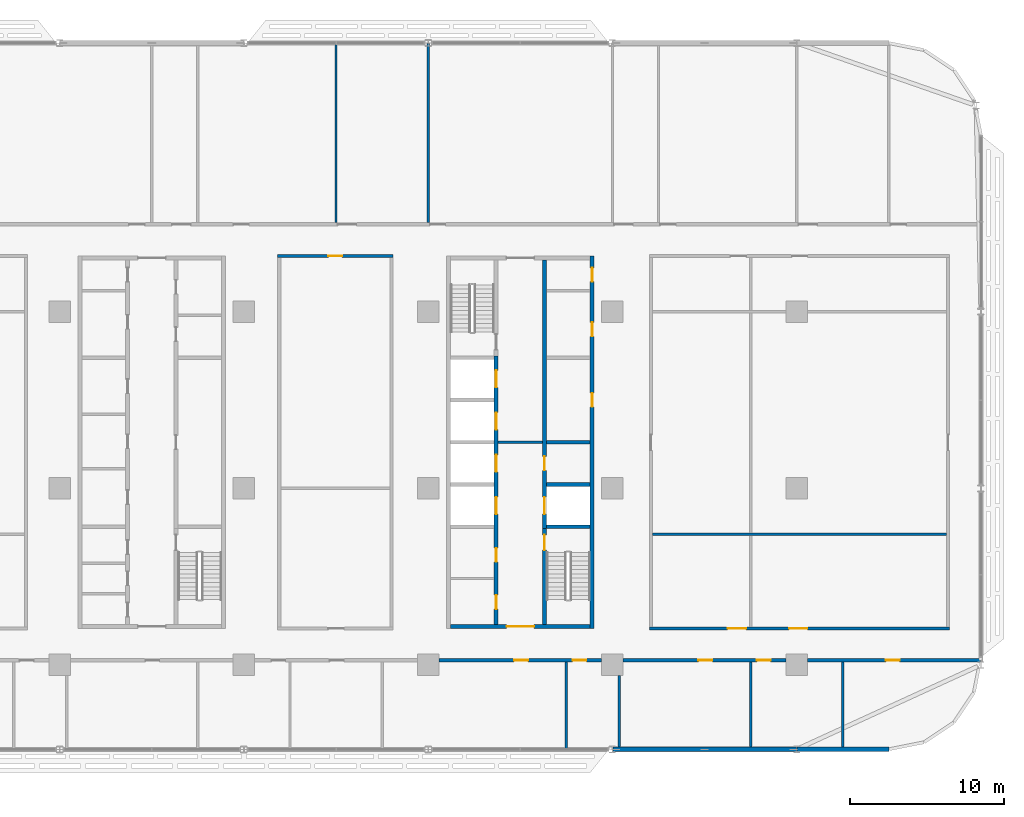
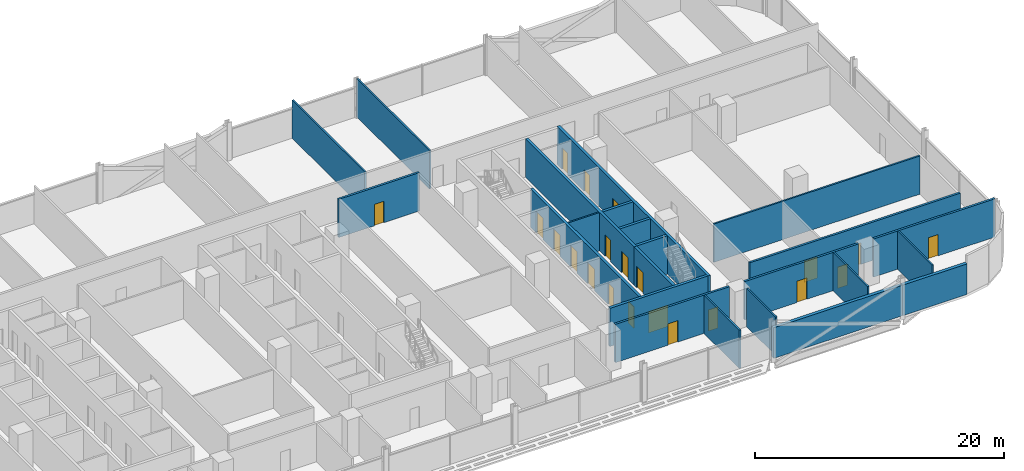
# One storey, part 16 of 29: 23 walls, 21 doors, 21 openings.
"""IFC4 building model written with IfcOpenShell, lengths in metres."""

from ifc_helpers import new_model, si_unit, direction, frame, frame_2d, origin, place, context, subcontext, project, spatial, rectangle, extrude, material, layer, layer_set, type_object, element, fill, save


model = new_model("IFC4")

# Units and contexts
model_context = context("Model", 3, precision=1e-05, world=origin(), true_north=direction((0.0, 1.0)))
body_context = subcontext(model_context, "Body", "Model", "MODEL_VIEW")
ifc_project = project(units=[si_unit("LENGTHUNIT", "METRE"), si_unit("AREAUNIT", "SQUARE_METRE"), si_unit("VOLUMEUNIT", "CUBIC_METRE"), si_unit("PLANEANGLEUNIT", "RADIAN"), si_unit("MASSUNIT", "GRAM", prefix="KILO")], contexts=[model_context])

# Site, building, storey
site_placement = place(None, origin())
site = spatial("IfcSite", under=ifc_project, at=site_placement, CompositionType="ELEMENT")
building_placement = place(site_placement, origin())
building = spatial("IfcBuilding", under=site, at=building_placement, Name="Mahtab Terrace Research Tower", CompositionType="ELEMENT")
storey_placement = place(building_placement, frame((0.0, 0.0, 97.10009765625)))
storey = spatial("IfcBuildingStorey", under=building, at=storey_placement, Name="L22", CompositionType="ELEMENT", Elevation=97.10009765625)

# Wall
ifc_material_1 = material(Name="Gypsum board partition")
ifc_layer_1 = layer(ifc_material_1, 0.14990234375)
ifc_layer_set_1 = layer_set([ifc_layer_1], Name="Core partition 150")
wall_type_1 = type_object("IfcWallType", Name="Core partition 150", PredefinedType="PARTITIONING", material=ifc_layer_set_1)
wall_1_placement = place(storey_placement, frame((22.550048828125, 3.0, 0.0), z_axis=(0.0, 0.0, 1.0), x_axis=(1.0, 0.0, 0.0)))
element("IfcWall", 1, at=wall_1_placement, inside=storey, type_object=wall_type_1, Name="Core wall C ffl", PredefinedType="PARTITIONING", context=body_context, shape_type="SweptSolid", body=[
    extrude(rectangle(XDim=2.89990234375, YDim=0.14990234375, at=frame_2d((1.449951171875, 0.0))), origin(), (0.0, 0.0, 1.0), 3.760009765625),
])

# Wall, openings, doors
ifc_material_2 = material(Name="Concrete C70/85", Category="concrete")
ifc_layer_2 = layer(ifc_material_2, 0.25)
ifc_layer_set_2 = layer_set([ifc_layer_2], Name="Core wall 250")
wall_type_2 = type_object("IfcWallType", Name="Core wall 250", PredefinedType="SOLIDWALL", material=ifc_layer_set_2)
wall_2_placement = place(storey_placement, frame((28.675048828125, -9.125, 0.0), z_axis=(0.0, 0.0, 1.0), x_axis=(0.0, 1.0, 0.0)))
wall_2 = element("IfcWall", 2, at=wall_2_placement, inside=storey, type_object=wall_type_2, Name="Core wall C outerE", PredefinedType="SOLIDWALL", context=body_context, shape_type="SweptSolid", body=[
    extrude(rectangle(XDim=24.25, YDim=0.25, at=frame_2d((12.125, 0.0))), origin(), (0.0, 0.0, 1.0), 3.760009765625),
])
opening_1_placement = place(wall_2_placement, frame((14.425048828125, 0.0, 0.0)))
opening_1 = element("IfcOpeningElement", 3, at=opening_1_placement, cuts=wall_2, Name="Opening C-R2", PredefinedType="OPENING", context=body_context, shape_type="SweptSolid", body=[
    extrude(rectangle(XDim=0.89990234375, YDim=2.10009765625, at=frame_2d((0.449951171875, 1.050048828125))), frame((0.0, 0.135009765625, 0.0), z_axis=(0.0, -1.0, 0.0), x_axis=(1.0, 0.0, 0.0)), (0.0, 0.0, 1.0), 0.27001953125),
])
opening_2_placement = place(wall_2_placement, frame((19.02490234375, 0.0, 0.0)))
opening_2 = element("IfcOpeningElement", 4, at=opening_2_placement, cuts=wall_2, Name="Opening C-R5", PredefinedType="OPENING", context=body_context, shape_type="SweptSolid", body=[
    extrude(rectangle(XDim=0.89990234375, YDim=2.10009765625, at=frame_2d((0.449951171875, 1.050048828125))), frame((0.0, 0.135009765625, 0.0), z_axis=(0.0, -1.0, 0.0), x_axis=(1.0, 0.0, 0.0)), (0.0, 0.0, 1.0), 0.27001953125),
])
opening_3_placement = place(wall_2_placement, frame((22.58740234375, 0.0, 0.0)))
opening_3 = element("IfcOpeningElement", 5, at=opening_3_placement, cuts=wall_2, Name="Opening C-R6", PredefinedType="OPENING", context=body_context, shape_type="SweptSolid", body=[
    extrude(rectangle(XDim=0.89990234375, YDim=2.10009765625, at=frame_2d((0.449951171875, 1.050048828125))), frame((0.0, 0.135009765625, 0.0), z_axis=(0.0, -1.0, 0.0), x_axis=(1.0, 0.0, 0.0)), (0.0, 0.0, 1.0), 0.27001953125),
])
ifc_material_3 = material(Name="Steel fire door", Category="steel")
door_type_1 = type_object("IfcDoorType", Name="Room door 900x2100 1 HR", OperationType="NOTDEFINED", PredefinedType="DOOR", material=ifc_material_3)
door_1_placement = place(opening_1_placement, origin())
door_1 = element("IfcDoor", 6, at=door_1_placement, inside=storey, type_object=door_type_1, Name="Plant room door", OperationType="SINGLE_SWING_RIGHT", OverallHeight=2.10009765625, OverallWidth=0.89990234375, PredefinedType="DOOR", context=body_context, shape_type="SweptSolid", body=[
    extrude(rectangle(XDim=0.89990234375, YDim=2.10009765625, at=frame_2d((0.449951171875, 1.050048828125))), frame((0.0, 0.02490234375, 0.0), z_axis=(0.0, -1.0, 0.0), x_axis=(1.0, 0.0, 0.0)), (0.0, 0.0, 1.0), 0.050048828125),
])
fill(opening_1, door_1)
door_2_placement = place(opening_2_placement, origin())
door_2 = element("IfcDoor", 7, at=door_2_placement, inside=storey, type_object=door_type_1, Name="IT equipment room door", OperationType="SINGLE_SWING_LEFT", OverallHeight=2.10009765625, OverallWidth=0.89990234375, PredefinedType="DOOR", context=body_context, shape_type="SweptSolid", body=[
    extrude(rectangle(XDim=0.89990234375, YDim=2.10009765625, at=frame_2d((0.449951171875, 1.050048828125))), frame((0.0, 0.02490234375, 0.0), z_axis=(0.0, -1.0, 0.0), x_axis=(1.0, 0.0, 0.0)), (0.0, 0.0, 1.0), 0.050048828125),
])
fill(opening_2, door_2)
door_3_placement = place(opening_3_placement, origin())
door_3 = element("IfcDoor", 8, at=door_3_placement, inside=storey, type_object=door_type_1, Name="Electrical riser room door", OperationType="SINGLE_SWING_RIGHT", OverallHeight=2.10009765625, OverallWidth=0.89990234375, PredefinedType="DOOR", context=body_context, shape_type="SweptSolid", body=[
    extrude(rectangle(XDim=0.89990234375, YDim=2.10009765625, at=frame_2d((0.449951171875, 1.050048828125))), frame((0.0, 0.02490234375, 0.0), z_axis=(0.0, -1.0, 0.0), x_axis=(1.0, 0.0, 0.0)), (0.0, 0.0, 1.0), 0.050048828125),
])
fill(opening_3, door_3)

# Wall, opening, door
wall_3_placement = place(storey_placement, frame((28.550048828125, -9.0, 0.0), z_axis=(0.0, 0.0, 1.0), x_axis=(-1.0, 0.0, 0.0)))
wall_3 = element("IfcWall", 9, at=wall_3_placement, inside=storey, type_object=wall_type_2, Name="Core wall C endS", PredefinedType="SOLIDWALL", context=body_context, shape_type="SweptSolid", body=[
    extrude(rectangle(XDim=9.10009765625, YDim=0.25, at=frame_2d((4.550048828125, 0.0))), origin(), (0.0, 0.0, 1.0), 3.760009765625),
])
opening_4_placement = place(wall_3_placement, frame((3.64990234375, 0.0, 0.0)))
opening_4 = element("IfcOpeningElement", 10, at=opening_4_placement, cuts=wall_3, Name="Opening C-S1", PredefinedType="OPENING", context=body_context, shape_type="SweptSolid", body=[
    extrude(rectangle(XDim=1.800048828125, YDim=2.10009765625, at=frame_2d((0.89990234375, 1.050048828125))), frame((0.0, 0.135009765625, 0.0), z_axis=(0.0, -1.0, 0.0), x_axis=(1.0, 0.0, 0.0)), (0.0, 0.0, 1.0), 0.27001953125),
])
door_type_2 = type_object("IfcDoorType", Name="Lobby double door 1800x2100 1 HR", OperationType="DOUBLE_DOOR_SINGLE_SWING", PredefinedType="DOOR", material=ifc_material_3)
door_4_placement = place(opening_4_placement, origin())
door_4 = element("IfcDoor", 11, at=door_4_placement, inside=storey, type_object=door_type_2, Name="Core entrance door C S", OperationType="DOUBLE_DOOR_SINGLE_SWING", OverallHeight=2.10009765625, OverallWidth=1.800048828125, PredefinedType="DOOR", context=body_context, shape_type="SweptSolid", body=[
    extrude(rectangle(XDim=1.800048828125, YDim=2.10009765625, at=frame_2d((0.89990234375, 1.050048828125))), frame((0.0, 0.02490234375, 0.0), z_axis=(0.0, -1.0, 0.0), x_axis=(1.0, 0.0, 0.0)), (0.0, 0.0, 1.0), 0.050048828125),
])
fill(opening_4, door_4)

# Wall, openings, doors
wall_4_placement = place(storey_placement, frame((22.425048828125, -8.875, 0.0), z_axis=(0.0, 0.0, 1.0), x_axis=(0.0, 1.0, 0.0)))
wall_4 = element("IfcWall", 12, at=wall_4_placement, inside=storey, type_object=wall_type_2, Name="Core wall C innerWSL", PredefinedType="SOLIDWALL", context=body_context, shape_type="SweptSolid", body=[
    extrude(rectangle(XDim=17.5, YDim=0.25, at=frame_2d((8.75, 0.0))), origin(), (0.0, 0.0, 1.0), 3.760009765625),
])
opening_5_placement = place(wall_4_placement, frame((7.199951171875, 0.0, 0.0)))
opening_5 = element("IfcOpeningElement", 13, at=opening_5_placement, cuts=wall_4, Name="Opening LD17-L22", PredefinedType="OPENING", context=body_context, shape_type="SweptSolid", body=[
    extrude(rectangle(XDim=1.10009765625, YDim=2.10009765625, at=frame_2d((0.550048828125, 1.050048828125))), frame((0.0, 0.135009765625, 0.0), z_axis=(0.0, -1.0, 0.0), x_axis=(1.0, 0.0, 0.0)), (0.0, 0.0, 1.0), 0.27001953125),
])
opening_6_placement = place(wall_4_placement, frame((9.949951171875, 0.0, 0.0)))
opening_6 = element("IfcOpeningElement", 14, at=opening_6_placement, cuts=wall_4, Name="Opening LD18-L22", PredefinedType="OPENING", context=body_context, shape_type="SweptSolid", body=[
    extrude(rectangle(XDim=1.10009765625, YDim=2.10009765625, at=frame_2d((0.550048828125, 1.050048828125))), frame((0.0, 0.135009765625, 0.0), z_axis=(0.0, -1.0, 0.0), x_axis=(1.0, 0.0, 0.0)), (0.0, 0.0, 1.0), 0.27001953125),
])
opening_7_placement = place(wall_4_placement, frame((12.699951171875, 0.0, 0.0)))
opening_7 = element("IfcOpeningElement", 15, at=opening_7_placement, cuts=wall_4, Name="Opening LD19-L22", PredefinedType="OPENING", context=body_context, shape_type="SweptSolid", body=[
    extrude(rectangle(XDim=1.10009765625, YDim=2.10009765625, at=frame_2d((0.550048828125, 1.050048828125))), frame((0.0, 0.135009765625, 0.0), z_axis=(0.0, -1.0, 0.0), x_axis=(1.0, 0.0, 0.0)), (0.0, 0.0, 1.0), 0.27001953125),
])
opening_8_placement = place(wall_4_placement, frame((15.449951171875, 0.0, 0.0)))
opening_8 = element("IfcOpeningElement", 16, at=opening_8_placement, cuts=wall_4, Name="Opening LD20-L22", PredefinedType="OPENING", context=body_context, shape_type="SweptSolid", body=[
    extrude(rectangle(XDim=1.10009765625, YDim=2.10009765625, at=frame_2d((0.550048828125, 1.050048828125))), frame((0.0, 0.135009765625, 0.0), z_axis=(0.0, -1.0, 0.0), x_axis=(1.0, 0.0, 0.0)), (0.0, 0.0, 1.0), 0.27001953125),
])
opening_9_placement = place(wall_4_placement, frame((1.012451171875, 0.0, 0.0)))
opening_9 = element("IfcOpeningElement", 17, at=opening_9_placement, cuts=wall_4, Name="Opening C-R3", PredefinedType="OPENING", context=body_context, shape_type="SweptSolid", body=[
    extrude(rectangle(XDim=0.89990234375, YDim=2.10009765625, at=frame_2d((0.449951171875, 1.050048828125))), frame((0.0, 0.135009765625, 0.0), z_axis=(0.0, -1.0, 0.0), x_axis=(1.0, 0.0, 0.0)), (0.0, 0.0, 1.0), 0.27001953125),
])
opening_10_placement = place(wall_4_placement, frame((4.08740234375, 0.0, 0.0)))
opening_10 = element("IfcOpeningElement", 18, at=opening_10_placement, cuts=wall_4, Name="Opening C-R4", PredefinedType="OPENING", context=body_context, shape_type="SweptSolid", body=[
    extrude(rectangle(XDim=0.89990234375, YDim=2.10009765625, at=frame_2d((0.449951171875, 1.050048828125))), frame((0.0, 0.135009765625, 0.0), z_axis=(0.0, -1.0, 0.0), x_axis=(1.0, 0.0, 0.0)), (0.0, 0.0, 1.0), 0.27001953125),
])
ifc_material_4 = material(Name="Stainless steel AISI 304", Category="steel")
door_type_3 = type_object("IfcDoorType", Name="Landing door 1100x2100", OperationType="DOUBLE_DOOR_SLIDING", PredefinedType="DOOR", material=ifc_material_4)
door_5_placement = place(opening_5_placement, origin())
door_5 = element("IfcDoor", 19, at=door_5_placement, inside=storey, type_object=door_type_3, Name="Landing door SV1 L22", OperationType="DOUBLE_DOOR_SLIDING", OverallHeight=2.10009765625, OverallWidth=1.10009765625, PredefinedType="DOOR", context=body_context, shape_type="SweptSolid", body=[
    extrude(rectangle(XDim=1.10009765625, YDim=2.10009765625, at=frame_2d((0.550048828125, 1.050048828125))), frame((0.0, 0.02490234375, 0.0), z_axis=(0.0, -1.0, 0.0), x_axis=(1.0, 0.0, 0.0)), (0.0, 0.0, 1.0), 0.050048828125),
])
fill(opening_5, door_5)
door_6_placement = place(opening_6_placement, origin())
door_6 = element("IfcDoor", 20, at=door_6_placement, inside=storey, type_object=door_type_3, Name="Landing door SV2 L22", OperationType="DOUBLE_DOOR_SLIDING", OverallHeight=2.10009765625, OverallWidth=1.10009765625, PredefinedType="DOOR", context=body_context, shape_type="SweptSolid", body=[
    extrude(rectangle(XDim=1.10009765625, YDim=2.10009765625, at=frame_2d((0.550048828125, 1.050048828125))), frame((0.0, 0.02490234375, 0.0), z_axis=(0.0, -1.0, 0.0), x_axis=(1.0, 0.0, 0.0)), (0.0, 0.0, 1.0), 0.050048828125),
])
fill(opening_6, door_6)
door_7_placement = place(opening_7_placement, origin())
door_7 = element("IfcDoor", 21, at=door_7_placement, inside=storey, type_object=door_type_3, Name="Landing door FF1 L22", OperationType="DOUBLE_DOOR_SLIDING", OverallHeight=2.10009765625, OverallWidth=1.10009765625, PredefinedType="DOOR", context=body_context, shape_type="SweptSolid", body=[
    extrude(rectangle(XDim=1.10009765625, YDim=2.10009765625, at=frame_2d((0.550048828125, 1.050048828125))), frame((0.0, 0.02490234375, 0.0), z_axis=(0.0, -1.0, 0.0), x_axis=(1.0, 0.0, 0.0)), (0.0, 0.0, 1.0), 0.050048828125),
])
fill(opening_7, door_7)
door_8_placement = place(opening_8_placement, origin())
door_8 = element("IfcDoor", 22, at=door_8_placement, inside=storey, type_object=door_type_3, Name="Landing door FF2 L22", OperationType="DOUBLE_DOOR_SLIDING", OverallHeight=2.10009765625, OverallWidth=1.10009765625, PredefinedType="DOOR", context=body_context, shape_type="SweptSolid", body=[
    extrude(rectangle(XDim=1.10009765625, YDim=2.10009765625, at=frame_2d((0.550048828125, 1.050048828125))), frame((0.0, 0.02490234375, 0.0), z_axis=(0.0, -1.0, 0.0), x_axis=(1.0, 0.0, 0.0)), (0.0, 0.0, 1.0), 0.050048828125),
])
fill(opening_8, door_8)
door_9_placement = place(opening_9_placement, origin())
door_9 = element("IfcDoor", 23, at=door_9_placement, inside=storey, type_object=door_type_1, Name="Staff WC door", OperationType="SINGLE_SWING_LEFT", OverallHeight=2.10009765625, OverallWidth=0.89990234375, PredefinedType="DOOR", context=body_context, shape_type="SweptSolid", body=[
    extrude(rectangle(XDim=0.89990234375, YDim=2.10009765625, at=frame_2d((0.449951171875, 1.050048828125))), frame((0.0, 0.02490234375, 0.0), z_axis=(0.0, -1.0, 0.0), x_axis=(1.0, 0.0, 0.0)), (0.0, 0.0, 1.0), 0.050048828125),
])
fill(opening_9, door_9)
door_10_placement = place(opening_10_placement, origin())
door_10 = element("IfcDoor", 24, at=door_10_placement, inside=storey, type_object=door_type_1, Name="Accessible WC door", OperationType="SINGLE_SWING_RIGHT", OverallHeight=2.10009765625, OverallWidth=0.89990234375, PredefinedType="DOOR", context=body_context, shape_type="SweptSolid", body=[
    extrude(rectangle(XDim=0.89990234375, YDim=2.10009765625, at=frame_2d((0.449951171875, 1.050048828125))), frame((0.0, 0.02490234375, 0.0), z_axis=(0.0, -1.0, 0.0), x_axis=(1.0, 0.0, 0.0)), (0.0, 0.0, 1.0), 0.050048828125),
])
fill(opening_10, door_10)

# Wall, opening, door
wall_5_placement = place(storey_placement, frame((25.574951171875, -8.875, 0.0), z_axis=(0.0, 0.0, 1.0), x_axis=(0.0, 1.0, 0.0)))
wall_5 = element("IfcWall", 25, at=wall_5_placement, inside=storey, type_object=wall_type_2, Name="Core wall C innerES", PredefinedType="SOLIDWALL", context=body_context, shape_type="SweptSolid", body=[
    extrude(rectangle(XDim=6.25, YDim=0.25, at=frame_2d((3.125, 0.0))), origin(), (0.0, 0.0, 1.0), 3.760009765625),
])
opening_11_placement = place(wall_5_placement, frame((4.85009765625, 0.0, 0.0)))
opening_11 = element("IfcOpeningElement", 26, at=opening_11_placement, cuts=wall_5, Name="Opening C-ST4", PredefinedType="OPENING", context=body_context, shape_type="SweptSolid", body=[
    extrude(rectangle(XDim=1.0, YDim=2.10009765625, at=frame_2d((0.5, 1.050048828125))), frame((0.0, 0.135009765625, 0.0), z_axis=(0.0, -1.0, 0.0), x_axis=(1.0, 0.0, 0.0)), (0.0, 0.0, 1.0), 0.27001953125),
])
door_type_4 = type_object("IfcDoorType", Name="Stair door 1000x2100 1.5 HR", OperationType="NOTDEFINED", PredefinedType="DOOR", material=ifc_material_3)
door_11_placement = place(opening_11_placement, origin())
door_11 = element("IfcDoor", 27, at=door_11_placement, inside=storey, type_object=door_type_4, Name="Stair door ST4 L22", OperationType="SINGLE_SWING_RIGHT", OverallHeight=2.10009765625, OverallWidth=1.0, PredefinedType="DOOR", context=body_context, shape_type="SweptSolid", body=[
    extrude(rectangle(XDim=1.0, YDim=2.10009765625, at=frame_2d((0.5, 1.050048828125))), frame((0.0, 0.02490234375, 0.0), z_axis=(0.0, -1.0, 0.0), x_axis=(1.0, 0.0, 0.0)), (0.0, 0.0, 1.0), 0.050048828125),
])
fill(opening_11, door_11)

# Wall, openings, doors
wall_6_placement = place(storey_placement, frame((25.574951171875, 14.875, 0.0), z_axis=(0.0, 0.0, 1.0), x_axis=(0.0, -1.0, 0.0)))
wall_6 = element("IfcWall", 28, at=wall_6_placement, inside=storey, type_object=wall_type_2, Name="Core wall C innerELN", PredefinedType="SOLIDWALL", context=body_context, shape_type="SweptSolid", body=[
    extrude(rectangle(XDim=17.5, YDim=0.25, at=frame_2d((8.75, 0.0))), origin(), (0.0, 0.0, 1.0), 3.760009765625),
])
opening_12_placement = place(wall_6_placement, frame((15.449951171875, 0.0, 0.0)))
opening_12 = element("IfcOpeningElement", 29, at=opening_12_placement, cuts=wall_6, Name="Opening LD21-L22", PredefinedType="OPENING", context=body_context, shape_type="SweptSolid", body=[
    extrude(rectangle(XDim=1.10009765625, YDim=2.10009765625, at=frame_2d((0.550048828125, 1.050048828125))), frame((0.0, 0.135009765625, 0.0), z_axis=(0.0, -1.0, 0.0), x_axis=(1.0, 0.0, 0.0)), (0.0, 0.0, 1.0), 0.27001953125),
])
opening_13_placement = place(wall_6_placement, frame((12.800048828125, 0.0, 0.0)))
opening_13 = element("IfcOpeningElement", 30, at=opening_13_placement, cuts=wall_6, Name="Opening C-R1", PredefinedType="OPENING", context=body_context, shape_type="SweptSolid", body=[
    extrude(rectangle(XDim=0.89990234375, YDim=2.10009765625, at=frame_2d((0.449951171875, 1.050048828125))), frame((0.0, 0.135009765625, 0.0), z_axis=(0.0, -1.0, 0.0), x_axis=(1.0, 0.0, 0.0)), (0.0, 0.0, 1.0), 0.27001953125),
])
door_12_placement = place(opening_12_placement, origin())
door_12 = element("IfcDoor", 31, at=door_12_placement, inside=storey, type_object=door_type_3, Name="Landing door SV3 L22", OperationType="DOUBLE_DOOR_SLIDING", OverallHeight=2.10009765625, OverallWidth=1.10009765625, PredefinedType="DOOR", context=body_context, shape_type="SweptSolid", body=[
    extrude(rectangle(XDim=1.10009765625, YDim=2.10009765625, at=frame_2d((0.550048828125, 1.050048828125))), frame((0.0, 0.02490234375, 0.0), z_axis=(0.0, -1.0, 0.0), x_axis=(1.0, 0.0, 0.0)), (0.0, 0.0, 1.0), 0.050048828125),
])
fill(opening_12, door_12)
door_13_placement = place(opening_13_placement, origin())
door_13 = element("IfcDoor", 32, at=door_13_placement, inside=storey, type_object=door_type_1, Name="Plant room door", OperationType="SINGLE_SWING_LEFT", OverallHeight=2.10009765625, OverallWidth=0.89990234375, PredefinedType="DOOR", context=body_context, shape_type="SweptSolid", body=[
    extrude(rectangle(XDim=0.89990234375, YDim=2.10009765625, at=frame_2d((0.449951171875, 1.050048828125))), frame((0.0, 0.02490234375, 0.0), z_axis=(0.0, -1.0, 0.0), x_axis=(1.0, 0.0, 0.0)), (0.0, 0.0, 1.0), 0.050048828125),
])
fill(opening_13, door_13)

# Walls
for number, where, z_axis, x_axis, name in (
    (33, (25.699951171875, -2.5, 0.0), (0.0, 0.0, 1.0), (1.0, 0.0, 0.0), "Core wall C divE0"),
    (34, (25.699951171875, 0.25, 0.0), (0.0, 0.0, 1.0), (1.0, 0.0, 0.0), "Core wall C divE1"),
    (35, (25.699951171875, 3.0, 0.0), (0.0, 0.0, 1.0), (1.0, 0.0, 0.0), "Core wall C divE2"),
):
    element("IfcWall", number, at=place(storey_placement, frame(where, z_axis=z_axis, x_axis=x_axis)), inside=storey, type_object=wall_type_2, Name=name, PredefinedType="SOLIDWALL", context=body_context, shape_type="SweptSolid", body=[
        extrude(rectangle(XDim=2.85009765625, YDim=0.25, at=frame_2d((1.425048828125, 0.0))), origin(), (0.0, 0.0, 1.0), 3.760009765625),
    ])
ifc_material_5 = material(Name="Black aluminium cladding panel", Category="aluminium")
ifc_layer_3 = layer(ifc_material_5, 0.300048828125)
ifc_layer_set_3 = layer_set([ifc_layer_3], Name="Opaque facade wall 300")
wall_type_3 = type_object("IfcWallType", Name="Opaque facade wall 300", PredefinedType="NOTDEFINED", material=ifc_layer_set_3)
wall_7_placement = place(storey_placement, frame((30.02099609375, -17.0, 0.0), z_axis=(0.0, 0.0, 1.0), x_axis=(1.0, 0.0, 0.0)))
element("IfcWall", 36, at=wall_7_placement, inside=storey, type_object=wall_type_3, Name="Opaque facade wall L22 S29", PredefinedType="NOTDEFINED", context=body_context, shape_type="SweptSolid", body=[
    extrude(rectangle(XDim=11.9580078125, YDim=0.300048828125, at=frame_2d((5.97900390625, 0.0))), origin(), (0.0, 0.0, 1.0), 3.0029296875),
])
wall_8_placement = place(storey_placement, frame((42.02099609375, -17.0, 0.0), z_axis=(0.0, 0.0, 1.0), x_axis=(1.0, 0.0, 0.0)))
element("IfcWall", 37, at=wall_8_placement, inside=storey, type_object=wall_type_3, Name="Opaque facade wall L22 S30", PredefinedType="NOTDEFINED", context=body_context, shape_type="SweptSolid", body=[
    extrude(rectangle(XDim=5.97900390625, YDim=0.300048828125, at=frame_2d((2.989501953125, 0.0))), origin(), (0.0, 0.0, 1.0), 3.0029296875),
])

# Wall, openings, doors
ifc_material_6 = material(Name="Gypsum board corridor wall on steel studs", Category="steel")
ifc_layer_4 = layer(ifc_material_6, 0.199951171875)
ifc_layer_set_4 = layer_set([ifc_layer_4], Name="WALL CORRIDOR 200")
wall_type_4 = type_object("IfcWallType", Name="WALL CORRIDOR 200", PredefinedType="PARTITIONING", material=ifc_layer_set_4)
wall_9_placement = place(storey_placement, frame((18.699951171875, -11.199951171875, 0.0), z_axis=(0.0, 0.0, 1.0), x_axis=(1.0, 0.0, 0.0)))
wall_9 = element("IfcWall", 38, at=wall_9_placement, inside=storey, type_object=wall_type_4, Name="L22-W006", PredefinedType="PARTITIONING", context=body_context, shape_type="SweptSolid", body=[
    extrude(rectangle(XDim=10.60009765625, YDim=0.199951171875, at=frame_2d((5.300048828125, 0.0))), origin(), (0.0, 0.0, 1.0), 3.760009765625),
])
opening_14_placement = place(wall_9_placement, frame((4.89990234375, 0.0, 0.0)))
opening_14 = element("IfcOpeningElement", 39, at=opening_14_placement, cuts=wall_9, Name="Opening L22-109", PredefinedType="OPENING", context=body_context, shape_type="SweptSolid", body=[
    extrude(rectangle(XDim=0.89990234375, YDim=2.10009765625, at=frame_2d((0.449951171875, 1.050048828125))), frame((0.0, 0.10986328125, 0.0), z_axis=(0.0, -1.0, 0.0), x_axis=(1.0, 0.0, 0.0)), (0.0, 0.0, 1.0), 0.219970703125),
])
opening_15_placement = place(wall_9_placement, frame((8.699951171875, 0.0, 0.0)))
opening_15 = element("IfcOpeningElement", 40, at=opening_15_placement, cuts=wall_9, Name="Opening L22-110", PredefinedType="OPENING", context=body_context, shape_type="SweptSolid", body=[
    extrude(rectangle(XDim=0.89990234375, YDim=2.10009765625, at=frame_2d((0.449951171875, 1.050048828125))), frame((0.0, 0.10986328125, 0.0), z_axis=(0.0, -1.0, 0.0), x_axis=(1.0, 0.0, 0.0)), (0.0, 0.0, 1.0), 0.219970703125),
])
ifc_material_7 = material(Name="Timber door leaf in steel frame", Category="steel")
door_type_5 = type_object("IfcDoorType", Name="DOOR 0900X2100 FD30S", OperationType="SINGLE_SWING_LEFT", PredefinedType="DOOR", material=ifc_material_7)
door_14_placement = place(opening_14_placement, origin())
door_14 = element("IfcDoor", 41, at=door_14_placement, inside=storey, type_object=door_type_5, Name="Door L22-109", OperationType="SINGLE_SWING_LEFT", OverallHeight=2.10009765625, OverallWidth=0.89990234375, PredefinedType="DOOR", context=body_context, shape_type="SweptSolid", body=[
    extrude(rectangle(XDim=0.89990234375, YDim=2.10009765625, at=frame_2d((0.449951171875, 1.050048828125))), frame((0.0, 0.02490234375, 0.0), z_axis=(0.0, -1.0, 0.0), x_axis=(1.0, 0.0, 0.0)), (0.0, 0.0, 1.0), 0.050048828125),
])
fill(opening_14, door_14)
door_15_placement = place(opening_15_placement, origin())
door_15 = element("IfcDoor", 42, at=door_15_placement, inside=storey, type_object=door_type_5, Name="Door L22-110", OperationType="SINGLE_SWING_LEFT", OverallHeight=2.10009765625, OverallWidth=0.89990234375, PredefinedType="DOOR", context=body_context, shape_type="SweptSolid", body=[
    extrude(rectangle(XDim=0.89990234375, YDim=2.10009765625, at=frame_2d((0.449951171875, 1.050048828125))), frame((0.0, 0.02490234375, 0.0), z_axis=(0.0, -1.0, 0.0), x_axis=(1.0, 0.0, 0.0)), (0.0, 0.0, 1.0), 0.050048828125),
])
fill(opening_15, door_15)

wall_10_placement = place(storey_placement, frame((30.699951171875, -11.199951171875, 0.0), z_axis=(0.0, 0.0, 1.0), x_axis=(1.0, 0.0, 0.0)))
wall_10 = element("IfcWall", 43, at=wall_10_placement, inside=storey, type_object=wall_type_4, Name="L22-W007", PredefinedType="PARTITIONING", context=body_context, shape_type="SweptSolid", body=[
    extrude(rectangle(XDim=10.60009765625, YDim=0.199951171875, at=frame_2d((5.300048828125, 0.0))), origin(), (0.0, 0.0, 1.0), 3.760009765625),
])
opening_16_placement = place(wall_10_placement, frame((4.89990234375, 0.0, 0.0)))
opening_16 = element("IfcOpeningElement", 44, at=opening_16_placement, cuts=wall_10, Name="Opening L22-111", PredefinedType="OPENING", context=body_context, shape_type="SweptSolid", body=[
    extrude(rectangle(XDim=0.89990234375, YDim=2.10009765625, at=frame_2d((0.449951171875, 1.050048828125))), frame((0.0, 0.10986328125, 0.0), z_axis=(0.0, -1.0, 0.0), x_axis=(1.0, 0.0, 0.0)), (0.0, 0.0, 1.0), 0.219970703125),
])
opening_17_placement = place(wall_10_placement, frame((8.699951171875, 0.0, 0.0)))
opening_17 = element("IfcOpeningElement", 45, at=opening_17_placement, cuts=wall_10, Name="Opening L22-112", PredefinedType="OPENING", context=body_context, shape_type="SweptSolid", body=[
    extrude(rectangle(XDim=0.89990234375, YDim=2.10009765625, at=frame_2d((0.449951171875, 1.050048828125))), frame((0.0, 0.10986328125, 0.0), z_axis=(0.0, -1.0, 0.0), x_axis=(1.0, 0.0, 0.0)), (0.0, 0.0, 1.0), 0.219970703125),
])
door_16_placement = place(opening_16_placement, origin())
door_16 = element("IfcDoor", 46, at=door_16_placement, inside=storey, type_object=door_type_5, Name="Door L22-111", OperationType="SINGLE_SWING_LEFT", OverallHeight=2.10009765625, OverallWidth=0.89990234375, PredefinedType="DOOR", context=body_context, shape_type="SweptSolid", body=[
    extrude(rectangle(XDim=0.89990234375, YDim=2.10009765625, at=frame_2d((0.449951171875, 1.050048828125))), frame((0.0, 0.02490234375, 0.0), z_axis=(0.0, -1.0, 0.0), x_axis=(1.0, 0.0, 0.0)), (0.0, 0.0, 1.0), 0.050048828125),
])
fill(opening_16, door_16)
door_17_placement = place(opening_17_placement, origin())
door_17 = element("IfcDoor", 47, at=door_17_placement, inside=storey, type_object=door_type_5, Name="Door L22-112", OperationType="SINGLE_SWING_LEFT", OverallHeight=2.10009765625, OverallWidth=0.89990234375, PredefinedType="DOOR", context=body_context, shape_type="SweptSolid", body=[
    extrude(rectangle(XDim=0.89990234375, YDim=2.10009765625, at=frame_2d((0.449951171875, 1.050048828125))), frame((0.0, 0.02490234375, 0.0), z_axis=(0.0, -1.0, 0.0), x_axis=(1.0, 0.0, 0.0)), (0.0, 0.0, 1.0), 0.050048828125),
])
fill(opening_17, door_17)

# Wall, opening, door
wall_11_placement = place(storey_placement, frame((42.699951171875, -11.199951171875, 0.0), z_axis=(0.0, 0.0, 1.0), x_axis=(1.0, 0.0, 0.0)))
wall_11 = element("IfcWall", 48, at=wall_11_placement, inside=storey, type_object=wall_type_4, Name="L22-W008", PredefinedType="PARTITIONING", context=body_context, shape_type="SweptSolid", body=[
    extrude(rectangle(XDim=11.275146484375, YDim=0.199951171875, at=frame_2d((5.6376953125, 0.0))), origin(), (0.0, 0.0, 1.0), 3.760009765625),
])
opening_18_placement = place(wall_11_placement, frame((5.10009765625, 0.0, 0.0)))
opening_18 = element("IfcOpeningElement", 49, at=opening_18_placement, cuts=wall_11, Name="Opening L22-113", PredefinedType="OPENING", context=body_context, shape_type="SweptSolid", body=[
    extrude(rectangle(XDim=0.89990234375, YDim=2.10009765625, at=frame_2d((0.449951171875, 1.050048828125))), frame((0.0, 0.10986328125, 0.0), z_axis=(0.0, -1.0, 0.0), x_axis=(1.0, 0.0, 0.0)), (0.0, 0.0, 1.0), 0.219970703125),
])
door_18_placement = place(opening_18_placement, origin())
door_18 = element("IfcDoor", 50, at=door_18_placement, inside=storey, type_object=door_type_5, Name="Door L22-113", OperationType="SINGLE_SWING_RIGHT", OverallHeight=2.10009765625, OverallWidth=0.89990234375, PredefinedType="DOOR", context=body_context, shape_type="SweptSolid", body=[
    extrude(rectangle(XDim=0.89990234375, YDim=2.10009765625, at=frame_2d((0.449951171875, 1.050048828125))), frame((0.0, 0.02490234375, 0.0), z_axis=(0.0, -1.0, 0.0), x_axis=(1.0, 0.0, 0.0)), (0.0, 0.0, 1.0), 0.050048828125),
])
fill(opening_18, door_18)

# Wall, openings, doors
wall_12_placement = place(storey_placement, frame((32.39990234375, -9.125, 0.0), z_axis=(0.0, 0.0, 1.0), x_axis=(1.0, 0.0, 0.0)))
wall_12 = element("IfcWall", 51, at=wall_12_placement, inside=storey, type_object=wall_type_4, Name="L22-W012", PredefinedType="PARTITIONING", context=body_context, shape_type="SweptSolid", body=[
    extrude(rectangle(XDim=19.550048828125, YDim=0.199951171875, at=frame_2d((9.77490234375, 0.0))), origin(), (0.0, 0.0, 1.0), 3.760009765625),
])
opening_19_placement = place(wall_12_placement, frame((5.10009765625, 0.0, 0.0)))
opening_19 = element("IfcOpeningElement", 52, at=opening_19_placement, cuts=wall_12, Name="Opening L22-115", PredefinedType="OPENING", context=body_context, shape_type="SweptSolid", body=[
    extrude(rectangle(XDim=1.199951171875, YDim=2.10009765625, at=frame_2d((0.60009765625, 1.050048828125))), frame((0.0, 0.10986328125, 0.0), z_axis=(0.0, -1.0, 0.0), x_axis=(1.0, 0.0, 0.0)), (0.0, 0.0, 1.0), 0.219970703125),
])
opening_20_placement = place(wall_12_placement, frame((9.10009765625, 0.0, 0.0)))
opening_20 = element("IfcOpeningElement", 53, at=opening_20_placement, cuts=wall_12, Name="Opening L22-116", PredefinedType="OPENING", context=body_context, shape_type="SweptSolid", body=[
    extrude(rectangle(XDim=1.199951171875, YDim=2.10009765625, at=frame_2d((0.60009765625, 1.050048828125))), frame((0.0, 0.10986328125, 0.0), z_axis=(0.0, -1.0, 0.0), x_axis=(1.0, 0.0, 0.0)), (0.0, 0.0, 1.0), 0.219970703125),
])
door_type_6 = type_object("IfcDoorType", Name="DOOR 1200X2100 FD30S", OperationType="SINGLE_SWING_LEFT", PredefinedType="DOOR", material=ifc_material_7)
door_19_placement = place(opening_19_placement, origin())
door_19 = element("IfcDoor", 54, at=door_19_placement, inside=storey, type_object=door_type_6, Name="Door L22-115", OperationType="SINGLE_SWING_LEFT", OverallHeight=2.10009765625, OverallWidth=1.199951171875, PredefinedType="DOOR", context=body_context, shape_type="SweptSolid", body=[
    extrude(rectangle(XDim=1.199951171875, YDim=2.10009765625, at=frame_2d((0.60009765625, 1.050048828125))), frame((0.0, 0.02490234375, 0.0), z_axis=(0.0, -1.0, 0.0), x_axis=(1.0, 0.0, 0.0)), (0.0, 0.0, 1.0), 0.050048828125),
])
fill(opening_19, door_19)
door_20_placement = place(opening_20_placement, origin())
door_20 = element("IfcDoor", 55, at=door_20_placement, inside=storey, type_object=door_type_6, Name="Door L22-116", OperationType="SINGLE_SWING_LEFT", OverallHeight=2.10009765625, OverallWidth=1.199951171875, PredefinedType="DOOR", context=body_context, shape_type="SweptSolid", body=[
    extrude(rectangle(XDim=1.199951171875, YDim=2.10009765625, at=frame_2d((0.60009765625, 1.050048828125))), frame((0.0, 0.02490234375, 0.0), z_axis=(0.0, -1.0, 0.0), x_axis=(1.0, 0.0, 0.0)), (0.0, 0.0, 1.0), 0.050048828125),
])
fill(opening_20, door_20)

# Wall, opening, door
wall_13_placement = place(storey_placement, frame((8.199951171875, 15.125, 0.0), z_axis=(0.0, 0.0, 1.0), x_axis=(1.0, 0.0, 0.0)))
wall_13 = element("IfcWall", 56, at=wall_13_placement, inside=storey, type_object=wall_type_4, Name="L22-W022", PredefinedType="PARTITIONING", context=body_context, shape_type="SweptSolid", body=[
    extrude(rectangle(XDim=7.5, YDim=0.199951171875, at=frame_2d((3.75, 0.0))), origin(), (0.0, 0.0, 1.0), 3.760009765625),
])
opening_21_placement = place(wall_13_placement, frame((3.300048828125, 0.0, 0.0)))
opening_21 = element("IfcOpeningElement", 57, at=opening_21_placement, cuts=wall_13, Name="Opening L22-123", PredefinedType="OPENING", context=body_context, shape_type="SweptSolid", body=[
    extrude(rectangle(XDim=0.89990234375, YDim=2.10009765625, at=frame_2d((0.449951171875, 1.050048828125))), frame((0.0, 0.10986328125, 0.0), z_axis=(0.0, -1.0, 0.0), x_axis=(1.0, 0.0, 0.0)), (0.0, 0.0, 1.0), 0.219970703125),
])
door_21_placement = place(opening_21_placement, origin())
door_21 = element("IfcDoor", 58, at=door_21_placement, inside=storey, type_object=door_type_5, Name="Door L22-123", OperationType="SINGLE_SWING_LEFT", OverallHeight=2.10009765625, OverallWidth=0.89990234375, PredefinedType="DOOR", context=body_context, shape_type="SweptSolid", body=[
    extrude(rectangle(XDim=0.89990234375, YDim=2.10009765625, at=frame_2d((0.449951171875, 1.050048828125))), frame((0.0, 0.02490234375, 0.0), z_axis=(0.0, -1.0, 0.0), x_axis=(1.0, 0.0, 0.0)), (0.0, 0.0, 1.0), 0.050048828125),
])
fill(opening_21, door_21)

# Walls
ifc_material_8 = material(Name="Gypsum board partition on steel studs", Category="steel")
ifc_layer_5 = layer(ifc_material_8, 0.14990234375)
ifc_layer_set_5 = layer_set([ifc_layer_5], Name="WALL PARTITION 150")
wall_type_5 = type_object("IfcWallType", Name="WALL PARTITION 150", PredefinedType="PARTITIONING", material=ifc_layer_set_5)
wall_14_placement = place(storey_placement, frame((32.60009765625, -3.0, 0.0), z_axis=(0.0, 0.0, 1.0), x_axis=(1.0, 0.0, 0.0)))
element("IfcWall", 59, at=wall_14_placement, inside=storey, type_object=wall_type_5, Name="L22-W014", PredefinedType="PARTITIONING", context=body_context, shape_type="SweptSolid", body=[
    extrude(rectangle(XDim=19.14990234375, YDim=0.14990234375, at=frame_2d((9.574951171875, 0.0))), origin(), (0.0, 0.0, 1.0), 3.760009765625),
])
for number, where, z_axis, x_axis, name in (
    (60, (12.0, 17.300048828125, 0.0), (0.0, 0.0, 1.0), (0.0, 1.0, 0.0), "L22-W043"),
    (61, (18.0, 17.300048828125, 0.0), (0.0, 0.0, 1.0), (0.0, 1.0, 0.0), "L22-W046"),
):
    element("IfcWall", number, at=place(storey_placement, frame(where, z_axis=z_axis, x_axis=x_axis)), inside=storey, type_object=wall_type_5, Name=name, PredefinedType="PARTITIONING", context=body_context, shape_type="SweptSolid", body=[
        extrude(rectangle(XDim=11.675048828125, YDim=0.14990234375, at=frame_2d((5.83740234375, 0.0))), origin(), (0.0, 0.0, 1.0), 3.760009765625),
    ])
wall_15_placement = place(storey_placement, frame((27.0, -16.97509765625, 0.0), z_axis=(0.0, 0.0, 1.0), x_axis=(0.0, 1.0, 0.0)))
element("IfcWall", 62, at=wall_15_placement, inside=storey, type_object=wall_type_5, Name="L22-W047", PredefinedType="PARTITIONING", context=body_context, shape_type="SweptSolid", body=[
    extrude(rectangle(XDim=5.675048828125, YDim=0.14990234375, at=frame_2d((2.83740234375, 0.0))), origin(), (0.0, 0.0, 1.0), 3.760009765625),
])
wall_16_placement = place(storey_placement, frame((30.449951171875, -16.85009765625, 0.0), z_axis=(0.0, 0.0, 1.0), x_axis=(0.0, 1.0, 0.0)))
element("IfcWall", 63, at=wall_16_placement, inside=storey, type_object=wall_type_5, Name="L22-W049", PredefinedType="PARTITIONING", context=body_context, shape_type="SweptSolid", body=[
    extrude(rectangle(XDim=4.650146484375, YDim=0.14990234375, at=frame_2d((2.3251953125, 0.0))), origin(), (0.0, 0.0, 1.0), 3.760009765625),
])
for number, where, z_axis, x_axis, name in (
    (64, (39.0, -16.85009765625, 0.0), (0.0, 0.0, 1.0), (0.0, 1.0, 0.0), "L22-W052"),
    (65, (45.0, -16.85009765625, 0.0), (0.0, 0.0, 1.0), (0.0, 1.0, 0.0), "L22-W055"),
):
    element("IfcWall", number, at=place(storey_placement, frame(where, z_axis=z_axis, x_axis=x_axis)), inside=storey, type_object=wall_type_5, Name=name, PredefinedType="PARTITIONING", context=body_context, shape_type="SweptSolid", body=[
        extrude(rectangle(XDim=5.550048828125, YDim=0.14990234375, at=frame_2d((2.77490234375, 0.0))), origin(), (0.0, 0.0, 1.0), 3.760009765625),
    ])

save(model, "model.ifc")
